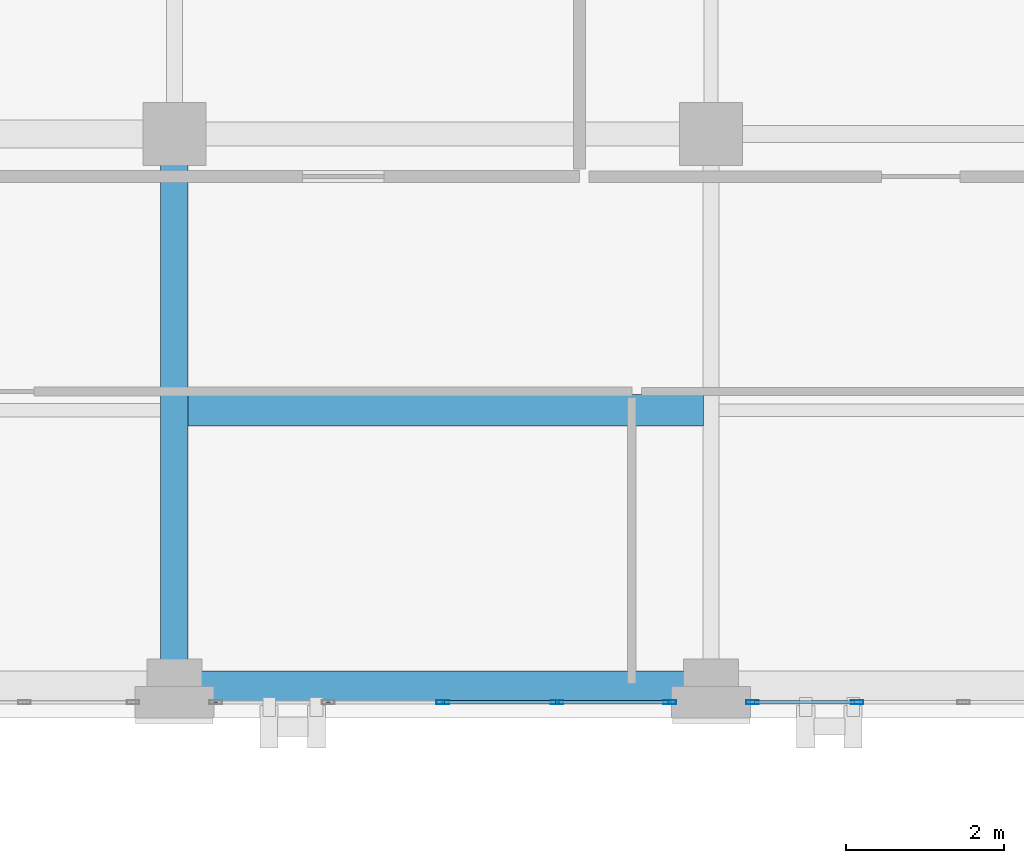
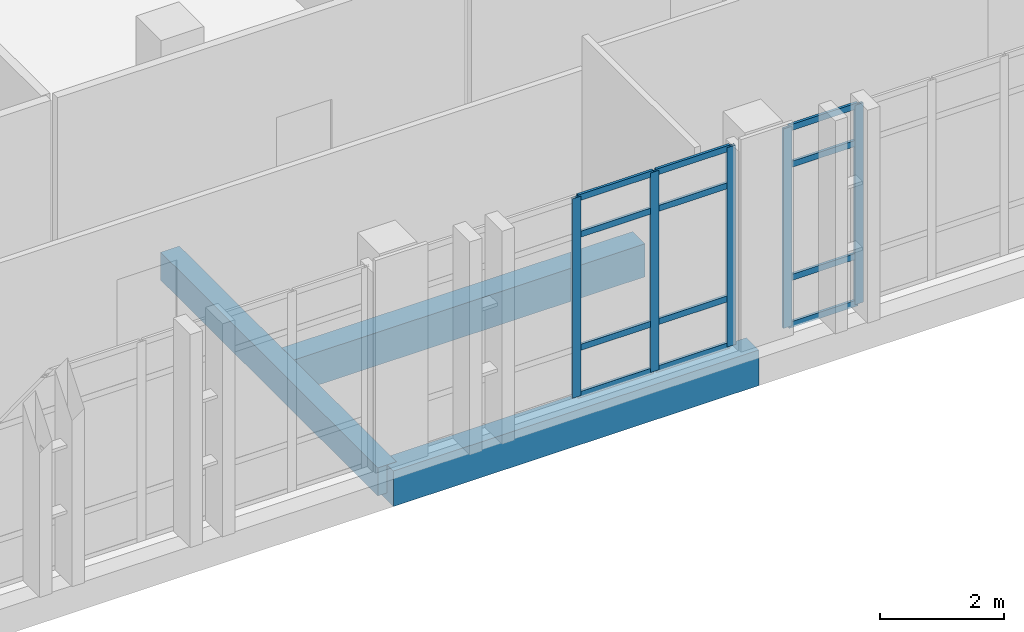
# One storey, part 82 of 158: 17 members, 3 beams, 2 elements without a shape of their own.
"""IFC4 building model written with IfcOpenShell, lengths in metres."""

import ifcopenshell
import ifcopenshell.guid

model = None  # the IFC model being written
_history = None  # IfcOwnerHistory: only IFC2X3 demands one
_inside = {}  # id of a spatial element -> (the spatial element, [elements in it])
_under = {}  # id of a project, library or spatial element -> (it, [spatial elements below it])
_declared = {}  # id of a project -> (the project, [libraries it declares])
_typed = {}  # id of a type object -> (the type object, [elements of that type])
_made_of = {}  # id of a material, layer set ... -> (it, [elements and type objects made of it])


def new_model(schema):
    """Start an empty IFC model of exactly this schema.

    Asked for "IFC4X3", IfcOpenShell would pick the latest addendum, in which some entities
    have other attributes; the version numbers below select the first issue.
    IFC2X3 requires an IfcOwnerHistory on every rooted entity: one is made here for all.
    """
    global model, _history
    if schema == "IFC4X3":
        model = ifcopenshell.file(schema_version=(4, 3, 0, 0))
    else:
        model = ifcopenshell.file(schema=schema)
    _inside.clear()
    _under.clear()
    _declared.clear()
    _typed.clear()
    _made_of.clear()
    _history = None
    if model.schema == "IFC2X3":
        org = make("IfcOrganization", Name="unknown")
        user = make(
            "IfcPersonAndOrganization",
            ThePerson=make("IfcPerson", FamilyName="unknown"),
            TheOrganization=org,
        )
        app = make(
            "IfcApplication",
            ApplicationDeveloper=org,
            Version="unknown",
            ApplicationFullName="unknown",
            ApplicationIdentifier="unknown",
        )
        _history = make(
            "IfcOwnerHistory",
            OwningUser=user,
            OwningApplication=app,
            ChangeAction="ADDED",
            CreationDate=0,
        )
    return model


def make(cls, **values):
    """One entity of the class cls with the attributes given. An attribute that is None is left unset."""
    return model.create_entity(
        cls, **{name: value for name, value in values.items() if value is not None}
    )


def rooted(cls, **values):
    """An entity with a GlobalId (a new one), such as an element, a storey or a relation."""
    return make(cls, GlobalId=ifcopenshell.guid.new(), OwnerHistory=_history, **values)


def si_unit(unit_type, name, prefix=None):
    """IfcSIUnit, for example si_unit("LENGTHUNIT", "METRE", prefix="MILLI")."""
    return make("IfcSIUnit", UnitType=unit_type, Prefix=prefix, Name=name)


def assignment(units):
    """IfcUnitAssignment: the units of a project."""
    return None if units is None else make("IfcUnitAssignment", Units=units)


def point(xyz):
    """IfcCartesianPoint."""
    return None if xyz is None else make("IfcCartesianPoint", Coordinates=xyz)


def direction(xyz):
    """IfcDirection."""
    return None if xyz is None else make("IfcDirection", DirectionRatios=xyz)


def frame(location, z_axis=None, x_axis=None):
    """IfcAxis2Placement3D, a coordinate frame: its origin and axes. An axis left out is left unset."""
    return make(
        "IfcAxis2Placement3D",
        Location=point(location),
        Axis=direction(z_axis),
        RefDirection=direction(x_axis),
    )


def frame_2d(location, x_axis=None):
    """IfcAxis2Placement2D, a coordinate frame in the plane: its origin and x axis."""
    return make(
        "IfcAxis2Placement2D", Location=point(location), RefDirection=direction(x_axis)
    )


def origin():
    """The frame at (0, 0, 0) with its axes left unset."""
    return frame((0.0, 0.0, 0.0))


def origin_2d():
    """The frame at (0, 0) in the plane with its x axis left unset."""
    return frame_2d((0.0, 0.0))


def place(relative_to, where):
    """IfcLocalPlacement: puts the frame where relative to a parent placement (None: the world)."""
    return make(
        "IfcLocalPlacement", PlacementRelTo=relative_to, RelativePlacement=where
    )


def context(
    kind, dimensions, precision=None, world=None, true_north=None, identifier=None
):
    """IfcGeometricRepresentationContext, for example the 3D "Model" context."""
    return make(
        "IfcGeometricRepresentationContext",
        ContextIdentifier=identifier,
        ContextType=kind,
        CoordinateSpaceDimension=dimensions,
        Precision=precision,
        WorldCoordinateSystem=world,
        TrueNorth=true_north,
    )


def subcontext(parent, identifier, kind, view, scale=None):
    """IfcGeometricRepresentationSubContext, for example "Body" below "Model"."""
    return make(
        "IfcGeometricRepresentationSubContext",
        ContextIdentifier=identifier,
        ContextType=kind,
        ParentContext=parent,
        TargetScale=scale,
        TargetView=view,
    )


def project(units=None, contexts=None):
    """IfcProject with its units and contexts."""
    return rooted(
        "IfcProject",
        Name="project",
        RepresentationContexts=contexts,
        UnitsInContext=assignment(units),
    )


def spatial(cls, under=None, at=None, **own):
    """A site, building, storey or space (cls), placed at a placement, below another one or the project."""
    s = rooted(cls, ObjectPlacement=at, **own)
    if under is not None:
        _under.setdefault(under.id(), (under, []))[1].append(s)
    return s


def profile(cls, at=None, kind="AREA", **sizes):
    """A parametric profile (cls). Its sizes go by their IFC names, for example OverallWidth=200.0."""
    return make(cls, ProfileType=kind, Position=at, **sizes)


def rectangle(**sizes):
    """IfcRectangleProfileDef."""
    return profile("IfcRectangleProfileDef", **sizes)


def hollow_rectangle(**sizes):
    """IfcRectangleHollowProfileDef."""
    return profile("IfcRectangleHollowProfileDef", **sizes)


def extrude(swept, where, along, depth):
    """IfcExtrudedAreaSolid: the profile swept, set in the frame where, extruded along a direction by depth."""
    return make(
        "IfcExtrudedAreaSolid",
        SweptArea=swept,
        Position=where,
        ExtrudedDirection=direction(along),
        Depth=depth,
    )


def shape(context_of_items, identifier, shape_type, items):
    """IfcShapeRepresentation: the items that make up one representation, for example the "Body"."""
    return make(
        "IfcShapeRepresentation",
        ContextOfItems=context_of_items,
        RepresentationIdentifier=identifier,
        RepresentationType=shape_type,
        Items=items,
    )


def material(Name=None, Category=None):
    """IfcMaterial."""
    return make("IfcMaterial", Name=Name, Category=Category)


def layer(
    of_material, thickness, ventilated=None, Name=None, Category=None, Priority=None
):
    """IfcMaterialLayer: one layer of a wall or slab, of a material (None: an air gap)."""
    return make(
        "IfcMaterialLayer",
        Material=of_material,
        LayerThickness=thickness,
        IsVentilated=ventilated,
        Name=Name,
        Category=Category,
        Priority=Priority,
    )


def layer_set(layers, Name=None):
    """IfcMaterialLayerSet."""
    return make("IfcMaterialLayerSet", MaterialLayers=layers, LayerSetName=Name)


def material_profile(
    of_material, cross_section, Name=None, Category=None, Priority=None
):
    """IfcMaterialProfile: a cross section and its material."""
    return make(
        "IfcMaterialProfile",
        Name=Name,
        Material=of_material,
        Profile=cross_section,
        Priority=Priority,
        Category=Category,
    )


def profile_set(profiles, Name=None, composite=None):
    """IfcMaterialProfileSet."""
    return make(
        "IfcMaterialProfileSet",
        Name=Name,
        MaterialProfiles=profiles,
        CompositeProfile=composite,
    )


def made_of(thing, what):
    """Note that an element or type object is made of a material, layer set ...; save() writes the relation."""
    if what is not None:
        _made_of.setdefault(what.id(), (what, []))[1].append(thing)
    return thing


def type_object(cls, material=None, **own):
    """A type object (cls), such as IfcWallType, which elements share."""
    return made_of(rooted(cls, **own), material)


def element(
    cls,
    number,
    at=None,
    inside=None,
    cuts=None,
    type_object=None,
    material=None,
    context=None,
    identifier="Body",
    shape_type=None,
    held_by="IfcProductDefinitionShape",
    body=None,
    shapes=None,
    **own,
):
    """One element of the class cls, such as IfcWall. Its Tag is "e" and its number.

    at: its placement. inside: the storey or other place that contains it. cuts: it is an
    opening in that element (IfcRelVoidsElement). A single representation is given by context,
    identifier, shape_type and body (its items); several are given by shapes. held_by: the class
    of the entity that holds the representations. save() writes the other relations.
    """
    e = rooted(cls, Tag="e%d" % number, ObjectPlacement=at, **own)
    if body is not None:
        shapes = [shape(context, identifier, shape_type, body)]
    if shapes is not None:
        e.Representation = make(held_by, Representations=shapes)
    if inside is not None:
        _inside.setdefault(inside.id(), (inside, []))[1].append(e)
    if cuts is not None:
        rooted(
            "IfcRelVoidsElement", RelatingBuildingElement=cuts, RelatedOpeningElement=e
        )
    if type_object is not None:
        _typed.setdefault(type_object.id(), (type_object, []))[1].append(e)
    return made_of(e, material)


def aggregate(whole, parts):
    """IfcRelAggregates: a whole, such as a stair, and the parts it consists of."""
    return rooted("IfcRelAggregates", RelatingObject=whole, RelatedObjects=parts)


def save(model, path):
    """Write the relations noted so far, then the file.

    IfcRelAggregates (storeys below a building ...), IfcRelContainedInSpatialStructure (elements
    in a storey), IfcRelDefinesByType, IfcRelAssociatesMaterial and IfcRelDeclares: one each for
    every whole, place, type object, material and project.
    """
    for whole, parts in _under.values():
        aggregate(whole, parts)
    for where, things in _inside.values():
        rooted(
            "IfcRelContainedInSpatialStructure",
            RelatedElements=things,
            RelatingStructure=where,
        )
    for kind, things in _typed.values():
        rooted("IfcRelDefinesByType", RelatedObjects=things, RelatingType=kind)
    for what, things in _made_of.values():
        rooted("IfcRelAssociatesMaterial", RelatedObjects=things, RelatingMaterial=what)
    for by, libraries in _declared.values():
        rooted("IfcRelDeclares", RelatingContext=by, RelatedDefinitions=libraries)
    model.write(path)


model = new_model("IFC4")

# Units and contexts
model_context = context("Model", 3, precision=1e-05, world=origin(), true_north=direction((0.0, 1.0)))
body_context = subcontext(model_context, "Body", "Model", "MODEL_VIEW")
ifc_project = project(units=[si_unit("LENGTHUNIT", "METRE"), si_unit("AREAUNIT", "SQUARE_METRE"), si_unit("VOLUMEUNIT", "CUBIC_METRE"), si_unit("PLANEANGLEUNIT", "RADIAN"), si_unit("MASSUNIT", "GRAM", prefix="KILO")], contexts=[model_context])

# Site, building, storey
site_placement = place(None, origin())
site = spatial("IfcSite", under=ifc_project, at=site_placement, CompositionType="ELEMENT")
building_placement = place(site_placement, origin())
building = spatial("IfcBuilding", under=site, at=building_placement, Name="Qalavern Law Courts", CompositionType="ELEMENT")
storey_placement = place(building_placement, frame((0.0, 0.0, 18.60009765625)))
storey = spatial("IfcBuildingStorey", under=building, at=storey_placement, Name="L04", CompositionType="ELEMENT", Elevation=18.60009765625)

# Curtain wall, members
ifc_material_1 = material(Name="Anodised aluminium and insulated glazing", Category="aluminium")
ifc_layer = layer(ifc_material_1, 0.166015625)
ifc_layer_set = layer_set([ifc_layer], Name="Anodised aluminium and insulated glazing")
curtain_wall_type = type_object("IfcCurtainWallType", Name="ENV-CW-LIB", PredefinedType="USERDEFINED", material=ifc_layer_set)
curtain_wall_1_placement = place(storey_placement, origin())
curtain_wall_1 = element("IfcCurtainWall", 1, at=curtain_wall_1_placement, inside=storey, type_object=curtain_wall_type, Name="V5 unitised curtain wall L04 south 4", ObjectType="UNITISED CURTAIN WALL", PredefinedType="USERDEFINED")
ifc_material_2 = material(Name="Anodised aluminium", Category="aluminium")
ifc_material_profile_1 = material_profile(ifc_material_2, hollow_rectangle(XDim=0.048095703125, YDim=0.159912109375, WallThickness=0.00390625, at=origin_2d()), Name="ALU MULLION 48x160")
ifc_profile_set_1 = profile_set([ifc_material_profile_1], Name="Anodised aluminium")
member_type_1 = type_object("IfcMemberType", Name="ENV-CWM-48x160", PredefinedType="MULLION", material=ifc_profile_set_1)
member_1_placement = place(storey_placement, frame((48.199951171875, 96.39990234375, 0.0), z_axis=(0.0, 0.0, 1.0), x_axis=(0.0, 1.0, 0.0)))
member_1 = element("IfcMember", 2, at=member_1_placement, type_object=member_type_1, Name="CW-05 mullion 3", PredefinedType="MULLION", context=body_context, shape_type="SweptSolid", body=[
    extrude(hollow_rectangle(XDim=0.048095703125, YDim=0.159912109375, WallThickness=0.00390625, at=origin_2d()), origin(), (0.0, 0.0, 1.0), 3.9248046875),
])
member_2_placement = place(storey_placement, frame((49.64990234375, 96.39990234375, 0.0), z_axis=(0.0, 0.0, 1.0), x_axis=(0.0, 1.0, 0.0)))
member_2 = element("IfcMember", 3, at=member_2_placement, type_object=member_type_1, Name="CW-05 mullion 4", PredefinedType="MULLION", context=body_context, shape_type="SweptSolid", body=[
    extrude(hollow_rectangle(XDim=0.048095703125, YDim=0.159912109375, WallThickness=0.00390625, at=origin_2d()), origin(), (0.0, 0.0, 1.0), 3.9248046875),
])
member_3_placement = place(storey_placement, frame((51.075927734375, 96.39990234375, 0.0), z_axis=(0.0, 0.0, 1.0), x_axis=(0.0, 1.0, 0.0)))
member_3 = element("IfcMember", 4, at=member_3_placement, type_object=member_type_1, Name="CW-05 mullion 5", PredefinedType="MULLION", context=body_context, shape_type="SweptSolid", body=[
    extrude(hollow_rectangle(XDim=0.048095703125, YDim=0.159912109375, WallThickness=0.00390625, at=origin_2d()), origin(), (0.0, 0.0, 1.0), 3.9248046875),
])

curtain_wall_2_placement = place(storey_placement, origin())
curtain_wall_2 = element("IfcCurtainWall", 5, at=curtain_wall_2_placement, inside=storey, type_object=curtain_wall_type, Name="V5 unitised curtain wall L04 south 5", ObjectType="UNITISED CURTAIN WALL", PredefinedType="USERDEFINED")
member_4_placement = place(storey_placement, frame((52.1240234375, 96.39990234375, 0.0), z_axis=(0.0, 0.0, 1.0), x_axis=(0.0, 1.0, 0.0)))
member_4 = element("IfcMember", 6, at=member_4_placement, type_object=member_type_1, Name="CW-05 mullion 1", PredefinedType="MULLION", context=body_context, shape_type="SweptSolid", body=[
    extrude(hollow_rectangle(XDim=0.048095703125, YDim=0.159912109375, WallThickness=0.00390625, at=origin_2d()), origin(), (0.0, 0.0, 1.0), 3.9248046875),
])
member_5_placement = place(storey_placement, frame((53.449951171875, 96.39990234375, 0.0), z_axis=(0.0, 0.0, 1.0), x_axis=(0.0, 1.0, 0.0)))
member_5 = element("IfcMember", 7, at=member_5_placement, type_object=member_type_1, Name="CW-05 mullion 2", PredefinedType="MULLION", context=body_context, shape_type="SweptSolid", body=[
    extrude(hollow_rectangle(XDim=0.048095703125, YDim=0.159912109375, WallThickness=0.00390625, at=origin_2d()), origin(), (0.0, 0.0, 1.0), 3.9248046875),
])

# Member
ifc_material_profile_2 = material_profile(ifc_material_2, hollow_rectangle(XDim=0.048095703125, YDim=0.1201171875, WallThickness=0.00390625, at=origin_2d()), Name="ALU TRANSOM 48x120")
ifc_profile_set_2 = profile_set([ifc_material_profile_2], Name="Anodised aluminium")
member_type_2 = type_object("IfcMemberType", Name="ENV-CWT-48x120", PredefinedType="USERDEFINED", material=ifc_profile_set_2)
member_6_placement = place(storey_placement, frame((48.22412109375, 96.39990234375, 0.02392578125), z_axis=(1.0, 0.0, 0.0), x_axis=(0.0, 1.0, 0.0)))
member_6 = element("IfcMember", 8, at=member_6_placement, type_object=member_type_2, Name="CW-05 transom 3.1", ObjectType="TRANSOM", PredefinedType="USERDEFINED", context=body_context, shape_type="SweptSolid", body=[
    extrude(hollow_rectangle(XDim=0.048095703125, YDim=0.1201171875, WallThickness=0.00390625, at=origin_2d()), origin(), (0.0, 0.0, 1.0), 1.40185546875),
])

member_7_placement = place(storey_placement, frame((48.22412109375, 96.39990234375, 0.949951171875), z_axis=(1.0, 0.0, 0.0), x_axis=(0.0, 1.0, 0.0)))
member_7 = element("IfcMember", 9, at=member_7_placement, type_object=member_type_2, Name="CW-05 transom 3.2", ObjectType="TRANSOM", PredefinedType="USERDEFINED", context=body_context, shape_type="SweptSolid", body=[
    extrude(hollow_rectangle(XDim=0.048095703125, YDim=0.1201171875, WallThickness=0.00390625, at=origin_2d()), origin(), (0.0, 0.0, 1.0), 1.40185546875),
])

member_8_placement = place(storey_placement, frame((48.22412109375, 96.39990234375, 3.1748046875), z_axis=(1.0, 0.0, 0.0), x_axis=(0.0, 1.0, 0.0)))
member_8 = element("IfcMember", 10, at=member_8_placement, type_object=member_type_2, Name="CW-05 transom 3.3", ObjectType="TRANSOM", PredefinedType="USERDEFINED", context=body_context, shape_type="SweptSolid", body=[
    extrude(hollow_rectangle(XDim=0.048095703125, YDim=0.1201171875, WallThickness=0.00390625, at=origin_2d()), origin(), (0.0, 0.0, 1.0), 1.40185546875),
])

member_9_placement = place(storey_placement, frame((48.22412109375, 96.39990234375, 3.90087890625), z_axis=(1.0, 0.0, 0.0), x_axis=(0.0, 1.0, 0.0)))
member_9 = element("IfcMember", 11, at=member_9_placement, type_object=member_type_2, Name="CW-05 transom 3.4", ObjectType="TRANSOM", PredefinedType="USERDEFINED", context=body_context, shape_type="SweptSolid", body=[
    extrude(hollow_rectangle(XDim=0.048095703125, YDim=0.1201171875, WallThickness=0.00390625, at=origin_2d()), origin(), (0.0, 0.0, 1.0), 1.40185546875),
])

member_10_placement = place(storey_placement, frame((49.674072265625, 96.39990234375, 0.02392578125), z_axis=(1.0, 0.0, 0.0), x_axis=(0.0, 1.0, 0.0)))
member_10 = element("IfcMember", 12, at=member_10_placement, type_object=member_type_2, Name="CW-05 transom 4.1", ObjectType="TRANSOM", PredefinedType="USERDEFINED", context=body_context, shape_type="SweptSolid", body=[
    extrude(hollow_rectangle(XDim=0.048095703125, YDim=0.1201171875, WallThickness=0.00390625, at=origin_2d()), origin(), (0.0, 0.0, 1.0), 1.3779296875),
])

member_11_placement = place(storey_placement, frame((49.674072265625, 96.39990234375, 0.949951171875), z_axis=(1.0, 0.0, 0.0), x_axis=(0.0, 1.0, 0.0)))
member_11 = element("IfcMember", 13, at=member_11_placement, type_object=member_type_2, Name="CW-05 transom 4.2", ObjectType="TRANSOM", PredefinedType="USERDEFINED", context=body_context, shape_type="SweptSolid", body=[
    extrude(hollow_rectangle(XDim=0.048095703125, YDim=0.1201171875, WallThickness=0.00390625, at=origin_2d()), origin(), (0.0, 0.0, 1.0), 1.3779296875),
])

member_12_placement = place(storey_placement, frame((49.674072265625, 96.39990234375, 3.1748046875), z_axis=(1.0, 0.0, 0.0), x_axis=(0.0, 1.0, 0.0)))
member_12 = element("IfcMember", 14, at=member_12_placement, type_object=member_type_2, Name="CW-05 transom 4.3", ObjectType="TRANSOM", PredefinedType="USERDEFINED", context=body_context, shape_type="SweptSolid", body=[
    extrude(hollow_rectangle(XDim=0.048095703125, YDim=0.1201171875, WallThickness=0.00390625, at=origin_2d()), origin(), (0.0, 0.0, 1.0), 1.3779296875),
])

member_13_placement = place(storey_placement, frame((49.674072265625, 96.39990234375, 3.90087890625), z_axis=(1.0, 0.0, 0.0), x_axis=(0.0, 1.0, 0.0)))
member_13 = element("IfcMember", 15, at=member_13_placement, type_object=member_type_2, Name="CW-05 transom 4.4", ObjectType="TRANSOM", PredefinedType="USERDEFINED", context=body_context, shape_type="SweptSolid", body=[
    extrude(hollow_rectangle(XDim=0.048095703125, YDim=0.1201171875, WallThickness=0.00390625, at=origin_2d()), origin(), (0.0, 0.0, 1.0), 1.3779296875),
])

aggregate(curtain_wall_1, [member_1, member_2, member_3, member_6, member_7, member_8, member_9, member_10, member_11, member_12, member_13])

member_14_placement = place(storey_placement, frame((52.14794921875, 96.39990234375, 0.02392578125), z_axis=(1.0, 0.0, 0.0), x_axis=(0.0, 1.0, 0.0)))
member_14 = element("IfcMember", 16, at=member_14_placement, type_object=member_type_2, Name="CW-05 transom 1.1", ObjectType="TRANSOM", PredefinedType="USERDEFINED", context=body_context, shape_type="SweptSolid", body=[
    extrude(hollow_rectangle(XDim=0.048095703125, YDim=0.1201171875, WallThickness=0.00390625, at=origin_2d()), origin(), (0.0, 0.0, 1.0), 1.278076171875),
])

member_15_placement = place(storey_placement, frame((52.14794921875, 96.39990234375, 0.949951171875), z_axis=(1.0, 0.0, 0.0), x_axis=(0.0, 1.0, 0.0)))
member_15 = element("IfcMember", 17, at=member_15_placement, type_object=member_type_2, Name="CW-05 transom 1.2", ObjectType="TRANSOM", PredefinedType="USERDEFINED", context=body_context, shape_type="SweptSolid", body=[
    extrude(hollow_rectangle(XDim=0.048095703125, YDim=0.1201171875, WallThickness=0.00390625, at=origin_2d()), origin(), (0.0, 0.0, 1.0), 1.278076171875),
])

member_16_placement = place(storey_placement, frame((52.14794921875, 96.39990234375, 3.1748046875), z_axis=(1.0, 0.0, 0.0), x_axis=(0.0, 1.0, 0.0)))
member_16 = element("IfcMember", 18, at=member_16_placement, type_object=member_type_2, Name="CW-05 transom 1.3", ObjectType="TRANSOM", PredefinedType="USERDEFINED", context=body_context, shape_type="SweptSolid", body=[
    extrude(hollow_rectangle(XDim=0.048095703125, YDim=0.1201171875, WallThickness=0.00390625, at=origin_2d()), origin(), (0.0, 0.0, 1.0), 1.278076171875),
])

member_17_placement = place(storey_placement, frame((52.14794921875, 96.39990234375, 3.90087890625), z_axis=(1.0, 0.0, 0.0), x_axis=(0.0, 1.0, 0.0)))
member_17 = element("IfcMember", 19, at=member_17_placement, type_object=member_type_2, Name="CW-05 transom 1.4", ObjectType="TRANSOM", PredefinedType="USERDEFINED", context=body_context, shape_type="SweptSolid", body=[
    extrude(hollow_rectangle(XDim=0.048095703125, YDim=0.1201171875, WallThickness=0.00390625, at=origin_2d()), origin(), (0.0, 0.0, 1.0), 1.278076171875),
])

aggregate(curtain_wall_2, [member_4, member_5, member_14, member_15, member_16, member_17])

# Beams
ifc_material_3 = material(Name="Concrete C35/45", Category="concrete")
ifc_material_profile_3 = material_profile(ifc_material_3, rectangle(XDim=0.35009765625, YDim=0.550048828125, at=origin_2d()), Name="RC 350x550")
ifc_profile_set_3 = profile_set([ifc_material_profile_3], Name="Concrete C35/45")
beam_type_1 = type_object("IfcBeamType", Name="STR-BM-RC350x550", PredefinedType="BEAM", material=ifc_profile_set_3)
beam_1_placement = place(storey_placement, frame((44.800048828125, 96.60009765625, -0.55517578125), z_axis=(0.0, 1.0, 0.0), x_axis=(-1.0, 0.0, 0.0)))
element("IfcBeam", 20, at=beam_1_placement, inside=storey, type_object=beam_type_1, Name="V5 Y-beam 6-1 L04", PredefinedType="BEAM", context=body_context, shape_type="SweptSolid", body=[
    extrude(rectangle(XDim=0.35009765625, YDim=0.550048828125, at=origin_2d()), origin(), (0.0, 0.0, 1.0), 7.0),
])
ifc_material_profile_4 = material_profile(ifc_material_3, rectangle(XDim=0.39990234375, YDim=0.64990234375, at=origin_2d()), Name="RC 400x650")
ifc_profile_set_4 = profile_set([ifc_material_profile_4], Name="Concrete C35/45")
beam_type_2 = type_object("IfcBeamType", Name="STR-JST-RC400x650", PredefinedType="JOIST", material=ifc_profile_set_4)
beam_2_placement = place(storey_placement, frame((44.972900390625, 100.10009765625, -0.60498046875), z_axis=(1.0, 0.0, 0.0), x_axis=(0.0, 1.0, 0.0)))
element("IfcBeam", 21, at=beam_2_placement, inside=storey, type_object=beam_type_2, Name="V5 secondary joist 6.1.1 L04", PredefinedType="JOIST", context=body_context, shape_type="SweptSolid", body=[
    extrude(rectangle(XDim=0.39990234375, YDim=0.64990234375, at=origin_2d()), origin(), (0.0, 0.0, 1.0), 6.529052734375),
])
ifc_material_4 = material(Name="Concrete C40/50", Category="concrete")
ifc_material_profile_5 = material_profile(ifc_material_4, rectangle(XDim=0.39990234375, YDim=0.699951171875, at=origin_2d()), Name="RC 400x700")
ifc_profile_set_5 = profile_set([ifc_material_profile_5], Name="Concrete C40/50")
beam_type_3 = type_object("IfcBeamType", Name="STR-SP-RC400x700", PredefinedType="SPANDREL", material=ifc_profile_set_5)
beam_3_placement = place(storey_placement, frame((44.800048828125, 96.60009765625, -0.630126953125), z_axis=(1.0, 0.0, 0.0), x_axis=(0.0, 1.0, 0.0)))
element("IfcBeam", 22, at=beam_3_placement, inside=storey, type_object=beam_type_3, Name="V5 X-beam 1-6 L04", PredefinedType="SPANDREL", context=body_context, shape_type="SweptSolid", body=[
    extrude(rectangle(XDim=0.39990234375, YDim=0.699951171875, at=origin_2d()), origin(), (0.0, 0.0, 1.0), 6.800048828125),
])

save(model, "model.ifc")
